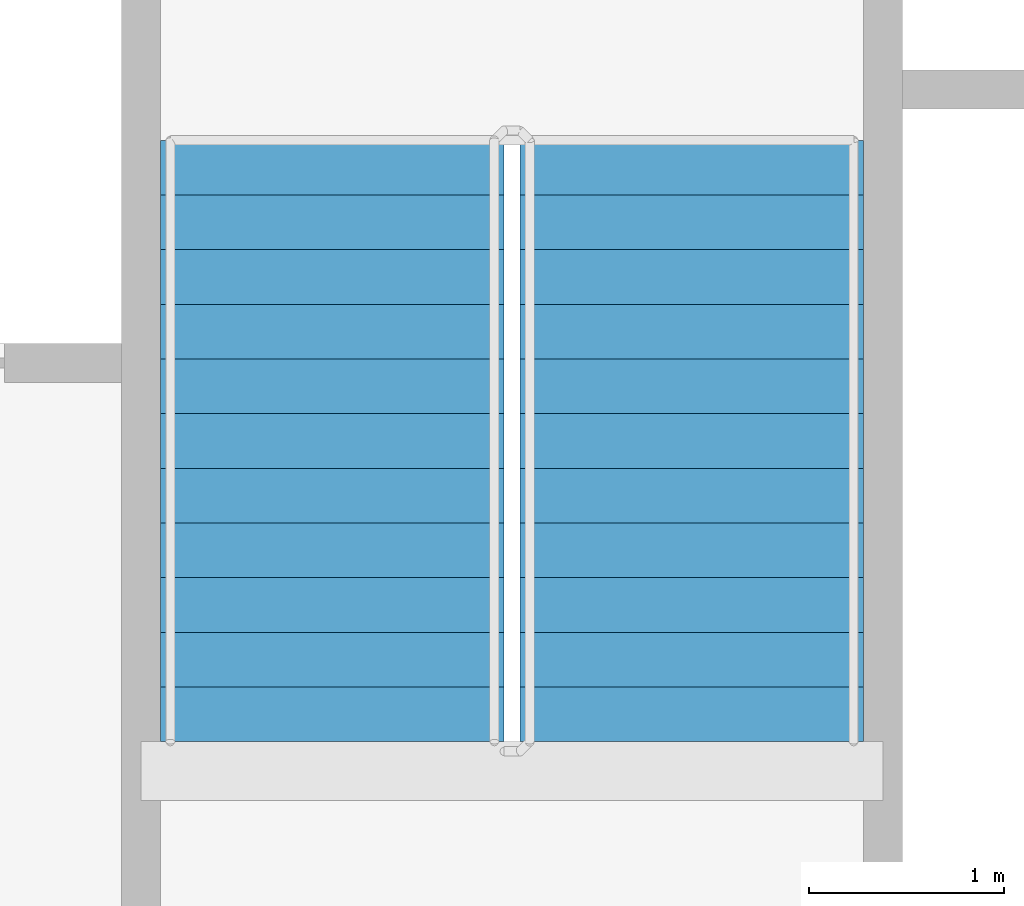
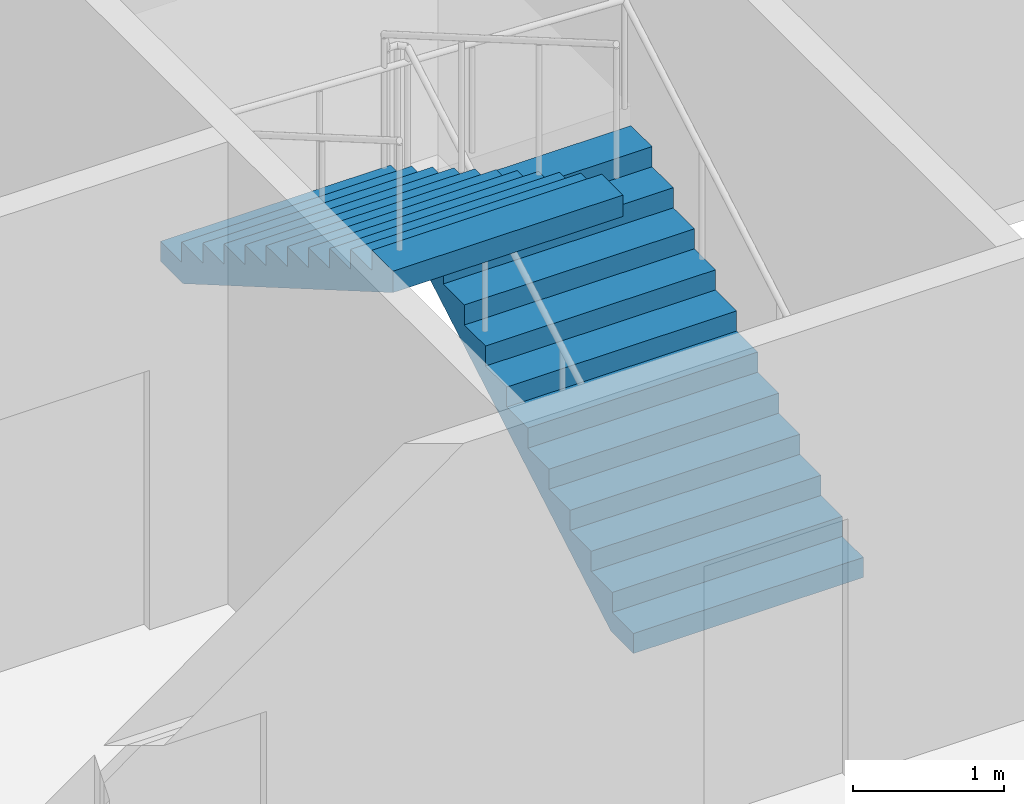
# One storey, part 9 of 14: 2 stair flights, 1 element without a shape of its own.
"""IFC4 building model written with IfcOpenShell, lengths in metres."""

from ifc_helpers import new_model, si_unit, direction, frame, origin, place, context, subcontext, project, spatial, faceted_brep, material, type_object, element, aggregate, save


model = new_model("IFC4")

# Units and contexts
model_context = context("Model", 3, precision=1e-05, world=origin(), true_north=direction((0.0, 1.0)))
body_context = subcontext(model_context, "Body", "Model", "MODEL_VIEW")
ifc_project = project(units=[si_unit("LENGTHUNIT", "METRE"), si_unit("AREAUNIT", "SQUARE_METRE"), si_unit("VOLUMEUNIT", "CUBIC_METRE"), si_unit("PLANEANGLEUNIT", "RADIAN"), si_unit("MASSUNIT", "GRAM", prefix="KILO")], contexts=[model_context])

# Site, building, storey
site_placement = place(None, origin())
site = spatial("IfcSite", under=ifc_project, at=site_placement, CompositionType="ELEMENT")
building_placement = place(site_placement, origin())
building = spatial("IfcBuilding", under=site, at=building_placement, Name="Tarsis Ring Headquarters", CompositionType="ELEMENT")
storey_placement = place(building_placement, frame((0.0, 0.0, 335.300048828125)))
storey = spatial("IfcBuildingStorey", under=building, at=storey_placement, Name="L79", CompositionType="ELEMENT", Elevation=335.300048828125)

# Stair, stair flights
ifc_material_1 = material(Name="Core stair 1760")
stair_type = type_object("IfcStairType", Name="Core stair 1760", PredefinedType="HALF_TURN_STAIR", material=ifc_material_1)
stair_placement = place(storey_placement, origin())
stair = element("IfcStair", 1, at=stair_placement, inside=storey, type_object=stair_type, Name="L79 Exit stair B", PredefinedType="HALF_TURN_STAIR")
ifc_material_2 = material(Name="Concrete C40/50", Category="concrete")
stair_flight_type = type_object("IfcStairFlightType", Name="Core stair flight 1760", PredefinedType="STRAIGHT", material=ifc_material_2)
stair_flight_1_placement = place(storey_placement, frame((5.419921875, 3.659912109375, 0.0), z_axis=(0.0, 0.0, 1.0), x_axis=(0.0, 1.0, 0.0)))
stair_flight_1 = element("IfcStairFlight", 2, at=stair_flight_1_placement, type_object=stair_flight_type, Name="Stair ST2 flight 1", NumberOfRisers=12, NumberOfTreads=11, PredefinedType="STRAIGHT", RiserHeight=0.1625, TreadLength=0.28, context=body_context, shape_type="Brep", body=[
    faceted_brep([(0.0, 0.8798828125, 0.0), (0.0, 0.8798828125, 0.16259765625), (0.280029296875, 0.8798828125, 0.16259765625), (0.280029296875, 0.8798828125, 0.324951171875), (0.56005859375, 0.8798828125, 0.324951171875), (0.56005859375, 0.8798828125, 0.487548828125), (0.840087890625, 0.8798828125, 0.487548828125), (0.840087890625, 0.8798828125, 0.64990234375), (1.1201171875, 0.8798828125, 0.64990234375), (1.1201171875, 0.8798828125, 0.8125), (1.39990234375, 0.8798828125, 0.8125), (1.39990234375, 0.8798828125, 0.97509765625), (1.679931640625, 0.8798828125, 0.97509765625), (1.679931640625, 0.8798828125, 1.137451171875), (1.9599609375, 0.8798828125, 1.137451171875), (1.9599609375, 0.8798828125, 1.300048828125), (2.239990234375, 0.8798828125, 1.300048828125), (2.239990234375, 0.8798828125, 1.46240234375), (2.52001953125, 0.8798828125, 1.46240234375), (2.52001953125, 0.8798828125, 1.625), (2.800048828125, 0.8798828125, 1.625), (2.800048828125, 0.8798828125, 1.78759765625), (3.080078125, 0.8798828125, 1.78759765625), (3.080078125, 0.8798828125, 1.6142578125), (0.298583984375, 0.8798828125, 0.0), (0.298583984375, -0.8798828125, 0.0), (3.080078125, -0.8798828125, 1.6142578125), (3.080078125, -0.8798828125, 1.78759765625), (2.800048828125, -0.8798828125, 1.78759765625), (2.800048828125, -0.8798828125, 1.625), (2.52001953125, -0.8798828125, 1.625), (2.52001953125, -0.8798828125, 1.46240234375), (2.239990234375, -0.8798828125, 1.46240234375), (2.239990234375, -0.8798828125, 1.300048828125), (1.9599609375, -0.8798828125, 1.300048828125), (1.9599609375, -0.8798828125, 1.137451171875), (1.679931640625, -0.8798828125, 1.137451171875), (1.679931640625, -0.8798828125, 0.97509765625), (1.39990234375, -0.8798828125, 0.97509765625), (1.39990234375, -0.8798828125, 0.8125), (1.1201171875, -0.8798828125, 0.8125), (1.1201171875, -0.8798828125, 0.64990234375), (0.840087890625, -0.8798828125, 0.64990234375), (0.840087890625, -0.8798828125, 0.487548828125), (0.56005859375, -0.8798828125, 0.487548828125), (0.56005859375, -0.8798828125, 0.324951171875), (0.280029296875, -0.8798828125, 0.324951171875), (0.280029296875, -0.8798828125, 0.16259765625), (0.0, -0.8798828125, 0.16259765625), (0.0, -0.8798828125, 0.0), (0.0, -0.43994140625, 0.16259765625), (0.0, -0.43994140625, 0.0), (0.0, 0.0, 0.16259765625), (0.0, 0.0, 0.0), (0.0, 0.43994140625, 0.16259765625), (0.0, 0.43994140625, 0.0), (0.280029296875, -0.43994140625, 0.16259765625), (0.280029296875, 0.0, 0.16259765625), (0.280029296875, 0.43994140625, 0.16259765625), (0.280029296875, -0.43994140625, 0.324951171875), (0.280029296875, 0.0, 0.324951171875), (0.280029296875, 0.43994140625, 0.324951171875), (0.56005859375, -0.43994140625, 0.324951171875), (0.56005859375, 0.0, 0.324951171875), (0.56005859375, 0.43994140625, 0.324951171875), (0.56005859375, -0.43994140625, 0.487548828125), (0.56005859375, 0.0, 0.487548828125), (0.56005859375, 0.43994140625, 0.487548828125), (0.840087890625, -0.43994140625, 0.487548828125), (0.840087890625, 0.0, 0.487548828125), (0.840087890625, 0.43994140625, 0.487548828125), (0.840087890625, -0.43994140625, 0.64990234375), (0.840087890625, 0.0, 0.64990234375), (0.840087890625, 0.43994140625, 0.64990234375), (1.1201171875, -0.43994140625, 0.64990234375), (1.1201171875, 0.0, 0.64990234375), (1.1201171875, 0.43994140625, 0.64990234375), (1.1201171875, -0.43994140625, 0.8125), (1.1201171875, 0.0, 0.8125), (1.1201171875, 0.43994140625, 0.8125), (1.39990234375, -0.43994140625, 0.8125), (1.39990234375, 0.0, 0.8125), (1.39990234375, 0.43994140625, 0.8125), (1.39990234375, -0.43994140625, 0.97509765625), (1.39990234375, 0.0, 0.97509765625), (1.39990234375, 0.43994140625, 0.97509765625), (1.679931640625, -0.43994140625, 0.97509765625), (1.679931640625, 0.0, 0.97509765625), (1.679931640625, 0.43994140625, 0.97509765625), (1.679931640625, -0.43994140625, 1.137451171875), (1.679931640625, 0.0, 1.137451171875), (1.679931640625, 0.43994140625, 1.137451171875), (1.9599609375, -0.43994140625, 1.137451171875), (1.9599609375, 0.0, 1.137451171875), (1.9599609375, 0.43994140625, 1.137451171875), (1.9599609375, -0.43994140625, 1.300048828125), (1.9599609375, 0.0, 1.300048828125), (1.9599609375, 0.43994140625, 1.300048828125), (2.239990234375, -0.43994140625, 1.300048828125), (2.239990234375, 0.0, 1.300048828125), (2.239990234375, 0.43994140625, 1.300048828125), (2.239990234375, -0.43994140625, 1.46240234375), (2.239990234375, 0.0, 1.46240234375), (2.239990234375, 0.43994140625, 1.46240234375), (2.52001953125, -0.43994140625, 1.46240234375), (2.52001953125, 0.0, 1.46240234375), (2.52001953125, 0.43994140625, 1.46240234375), (2.52001953125, -0.43994140625, 1.625), (2.52001953125, 0.0, 1.625), (2.52001953125, 0.43994140625, 1.625), (2.800048828125, -0.43994140625, 1.625), (2.800048828125, 0.0, 1.625), (2.800048828125, 0.43994140625, 1.625), (2.800048828125, -0.43994140625, 1.78759765625), (2.800048828125, 0.0, 1.78759765625), (2.800048828125, 0.43994140625, 1.78759765625), (3.080078125, -0.43994140625, 1.78759765625), (3.080078125, 0.0, 1.78759765625), (3.080078125, 0.43994140625, 1.78759765625), (3.080078125, -0.43994140625, 1.6142578125), (3.080078125, 0.0, 1.6142578125), (3.080078125, 0.43994140625, 1.6142578125), (0.298583984375, -0.43994140625, 0.0), (0.298583984375, 0.0, 0.0), (0.298583984375, 0.43994140625, 0.0)], [[[0, 1, 2, 3, 4, 5, 6, 7, 8, 9, 10, 11, 12, 13, 14, 15, 16, 17, 18, 19, 20, 21, 22, 23, 24]], [[25, 26, 27, 28, 29, 30, 31, 32, 33, 34, 35, 36, 37, 38, 39, 40, 41, 42, 43, 44, 45, 46, 47, 48, 49]], [[49, 48, 50, 51]], [[51, 50, 52, 53]], [[53, 52, 54, 55]], [[55, 54, 1, 0]], [[48, 47, 56, 50]], [[50, 56, 57, 52]], [[52, 57, 58, 54]], [[54, 58, 2, 1]], [[47, 46, 59, 56]], [[56, 59, 60, 57]], [[57, 60, 61, 58]], [[58, 61, 3, 2]], [[46, 45, 62, 59]], [[59, 62, 63, 60]], [[60, 63, 64, 61]], [[61, 64, 4, 3]], [[45, 44, 65, 62]], [[62, 65, 66, 63]], [[63, 66, 67, 64]], [[64, 67, 5, 4]], [[44, 43, 68, 65]], [[65, 68, 69, 66]], [[66, 69, 70, 67]], [[67, 70, 6, 5]], [[43, 42, 71, 68]], [[68, 71, 72, 69]], [[69, 72, 73, 70]], [[70, 73, 7, 6]], [[42, 41, 74, 71]], [[71, 74, 75, 72]], [[72, 75, 76, 73]], [[73, 76, 8, 7]], [[41, 40, 77, 74]], [[74, 77, 78, 75]], [[75, 78, 79, 76]], [[76, 79, 9, 8]], [[40, 39, 80, 77]], [[77, 80, 81, 78]], [[78, 81, 82, 79]], [[79, 82, 10, 9]], [[39, 38, 83, 80]], [[80, 83, 84, 81]], [[81, 84, 85, 82]], [[82, 85, 11, 10]], [[38, 37, 86, 83]], [[83, 86, 87, 84]], [[84, 87, 88, 85]], [[85, 88, 12, 11]], [[37, 36, 89, 86]], [[86, 89, 90, 87]], [[87, 90, 91, 88]], [[88, 91, 13, 12]], [[36, 35, 92, 89]], [[89, 92, 93, 90]], [[90, 93, 94, 91]], [[91, 94, 14, 13]], [[35, 34, 95, 92]], [[92, 95, 96, 93]], [[93, 96, 97, 94]], [[94, 97, 15, 14]], [[34, 33, 98, 95]], [[95, 98, 99, 96]], [[96, 99, 100, 97]], [[97, 100, 16, 15]], [[33, 32, 101, 98]], [[98, 101, 102, 99]], [[99, 102, 103, 100]], [[100, 103, 17, 16]], [[32, 31, 104, 101]], [[101, 104, 105, 102]], [[102, 105, 106, 103]], [[103, 106, 18, 17]], [[31, 30, 107, 104]], [[104, 107, 108, 105]], [[105, 108, 109, 106]], [[106, 109, 19, 18]], [[30, 29, 110, 107]], [[107, 110, 111, 108]], [[108, 111, 112, 109]], [[109, 112, 20, 19]], [[29, 28, 113, 110]], [[110, 113, 114, 111]], [[111, 114, 115, 112]], [[112, 115, 21, 20]], [[28, 27, 116, 113]], [[113, 116, 117, 114]], [[114, 117, 118, 115]], [[115, 118, 22, 21]], [[27, 26, 119, 116]], [[116, 119, 120, 117]], [[117, 120, 121, 118]], [[118, 121, 23, 22]], [[26, 25, 122, 119]], [[119, 122, 123, 120]], [[120, 123, 124, 121]], [[121, 124, 24, 23]], [[25, 49, 51, 122]], [[122, 51, 53, 123]], [[123, 53, 55, 124]], [[124, 55, 0, 24]]]),
])
stair_flight_2_placement = place(storey_placement, frame((3.580078125, 6.739990234375, 1.949951171875), z_axis=(0.0, 0.0, 1.0), x_axis=(0.0, -1.0, 0.0)))
stair_flight_2 = element("IfcStairFlight", 3, at=stair_flight_2_placement, type_object=stair_flight_type, Name="Stair ST2 flight 2", NumberOfRisers=12, NumberOfTreads=11, PredefinedType="STRAIGHT", RiserHeight=0.1625, TreadLength=0.28, context=body_context, shape_type="Brep", body=[
    faceted_brep([(0.0, 0.8798828125, 0.0), (0.0, 0.8798828125, 0.16259765625), (0.280029296875, 0.8798828125, 0.16259765625), (0.280029296875, 0.8798828125, 0.324951171875), (0.56005859375, 0.8798828125, 0.324951171875), (0.56005859375, 0.8798828125, 0.487548828125), (0.840087890625, 0.8798828125, 0.487548828125), (0.840087890625, 0.8798828125, 0.64990234375), (1.1201171875, 0.8798828125, 0.64990234375), (1.1201171875, 0.8798828125, 0.8125), (1.39990234375, 0.8798828125, 0.8125), (1.39990234375, 0.8798828125, 0.97509765625), (1.679931640625, 0.8798828125, 0.97509765625), (1.679931640625, 0.8798828125, 1.137451171875), (1.9599609375, 0.8798828125, 1.137451171875), (1.9599609375, 0.8798828125, 1.300048828125), (2.239990234375, 0.8798828125, 1.300048828125), (2.239990234375, 0.8798828125, 1.46240234375), (2.52001953125, 0.8798828125, 1.46240234375), (2.52001953125, 0.8798828125, 1.625), (2.800048828125, 0.8798828125, 1.625), (2.800048828125, 0.8798828125, 1.78759765625), (3.080078125, 0.8798828125, 1.78759765625), (3.080078125, 0.8798828125, 1.6142578125), (0.298583984375, 0.8798828125, 0.0), (0.298583984375, -0.8798828125, 0.0), (3.080078125, -0.8798828125, 1.6142578125), (3.080078125, -0.8798828125, 1.78759765625), (2.800048828125, -0.8798828125, 1.78759765625), (2.800048828125, -0.8798828125, 1.625), (2.52001953125, -0.8798828125, 1.625), (2.52001953125, -0.8798828125, 1.46240234375), (2.239990234375, -0.8798828125, 1.46240234375), (2.239990234375, -0.8798828125, 1.300048828125), (1.9599609375, -0.8798828125, 1.300048828125), (1.9599609375, -0.8798828125, 1.137451171875), (1.679931640625, -0.8798828125, 1.137451171875), (1.679931640625, -0.8798828125, 0.97509765625), (1.39990234375, -0.8798828125, 0.97509765625), (1.39990234375, -0.8798828125, 0.8125), (1.1201171875, -0.8798828125, 0.8125), (1.1201171875, -0.8798828125, 0.64990234375), (0.840087890625, -0.8798828125, 0.64990234375), (0.840087890625, -0.8798828125, 0.487548828125), (0.56005859375, -0.8798828125, 0.487548828125), (0.56005859375, -0.8798828125, 0.324951171875), (0.280029296875, -0.8798828125, 0.324951171875), (0.280029296875, -0.8798828125, 0.16259765625), (0.0, -0.8798828125, 0.16259765625), (0.0, -0.8798828125, 0.0), (0.0, -0.43994140625, 0.16259765625), (0.0, -0.43994140625, 0.0), (0.0, 0.0, 0.16259765625), (0.0, 0.0, 0.0), (0.0, 0.43994140625, 0.16259765625), (0.0, 0.43994140625, 0.0), (0.280029296875, -0.43994140625, 0.16259765625), (0.280029296875, 0.0, 0.16259765625), (0.280029296875, 0.43994140625, 0.16259765625), (0.280029296875, -0.43994140625, 0.324951171875), (0.280029296875, 0.0, 0.324951171875), (0.280029296875, 0.43994140625, 0.324951171875), (0.56005859375, -0.43994140625, 0.324951171875), (0.56005859375, 0.0, 0.324951171875), (0.56005859375, 0.43994140625, 0.324951171875), (0.56005859375, -0.43994140625, 0.487548828125), (0.56005859375, 0.0, 0.487548828125), (0.56005859375, 0.43994140625, 0.487548828125), (0.840087890625, -0.43994140625, 0.487548828125), (0.840087890625, 0.0, 0.487548828125), (0.840087890625, 0.43994140625, 0.487548828125), (0.840087890625, -0.43994140625, 0.64990234375), (0.840087890625, 0.0, 0.64990234375), (0.840087890625, 0.43994140625, 0.64990234375), (1.1201171875, -0.43994140625, 0.64990234375), (1.1201171875, 0.0, 0.64990234375), (1.1201171875, 0.43994140625, 0.64990234375), (1.1201171875, -0.43994140625, 0.8125), (1.1201171875, 0.0, 0.8125), (1.1201171875, 0.43994140625, 0.8125), (1.39990234375, -0.43994140625, 0.8125), (1.39990234375, 0.0, 0.8125), (1.39990234375, 0.43994140625, 0.8125), (1.39990234375, -0.43994140625, 0.97509765625), (1.39990234375, 0.0, 0.97509765625), (1.39990234375, 0.43994140625, 0.97509765625), (1.679931640625, -0.43994140625, 0.97509765625), (1.679931640625, 0.0, 0.97509765625), (1.679931640625, 0.43994140625, 0.97509765625), (1.679931640625, -0.43994140625, 1.137451171875), (1.679931640625, 0.0, 1.137451171875), (1.679931640625, 0.43994140625, 1.137451171875), (1.9599609375, -0.43994140625, 1.137451171875), (1.9599609375, 0.0, 1.137451171875), (1.9599609375, 0.43994140625, 1.137451171875), (1.9599609375, -0.43994140625, 1.300048828125), (1.9599609375, 0.0, 1.300048828125), (1.9599609375, 0.43994140625, 1.300048828125), (2.239990234375, -0.43994140625, 1.300048828125), (2.239990234375, 0.0, 1.300048828125), (2.239990234375, 0.43994140625, 1.300048828125), (2.239990234375, -0.43994140625, 1.46240234375), (2.239990234375, 0.0, 1.46240234375), (2.239990234375, 0.43994140625, 1.46240234375), (2.52001953125, -0.43994140625, 1.46240234375), (2.52001953125, 0.0, 1.46240234375), (2.52001953125, 0.43994140625, 1.46240234375), (2.52001953125, -0.43994140625, 1.625), (2.52001953125, 0.0, 1.625), (2.52001953125, 0.43994140625, 1.625), (2.800048828125, -0.43994140625, 1.625), (2.800048828125, 0.0, 1.625), (2.800048828125, 0.43994140625, 1.625), (2.800048828125, -0.43994140625, 1.78759765625), (2.800048828125, 0.0, 1.78759765625), (2.800048828125, 0.43994140625, 1.78759765625), (3.080078125, -0.43994140625, 1.78759765625), (3.080078125, 0.0, 1.78759765625), (3.080078125, 0.43994140625, 1.78759765625), (3.080078125, -0.43994140625, 1.6142578125), (3.080078125, 0.0, 1.6142578125), (3.080078125, 0.43994140625, 1.6142578125), (0.298583984375, -0.43994140625, 0.0), (0.298583984375, 0.0, 0.0), (0.298583984375, 0.43994140625, 0.0)], [[[0, 1, 2, 3, 4, 5, 6, 7, 8, 9, 10, 11, 12, 13, 14, 15, 16, 17, 18, 19, 20, 21, 22, 23, 24]], [[25, 26, 27, 28, 29, 30, 31, 32, 33, 34, 35, 36, 37, 38, 39, 40, 41, 42, 43, 44, 45, 46, 47, 48, 49]], [[49, 48, 50, 51]], [[51, 50, 52, 53]], [[53, 52, 54, 55]], [[55, 54, 1, 0]], [[48, 47, 56, 50]], [[50, 56, 57, 52]], [[52, 57, 58, 54]], [[54, 58, 2, 1]], [[47, 46, 59, 56]], [[56, 59, 60, 57]], [[57, 60, 61, 58]], [[58, 61, 3, 2]], [[46, 45, 62, 59]], [[59, 62, 63, 60]], [[60, 63, 64, 61]], [[61, 64, 4, 3]], [[45, 44, 65, 62]], [[62, 65, 66, 63]], [[63, 66, 67, 64]], [[64, 67, 5, 4]], [[44, 43, 68, 65]], [[65, 68, 69, 66]], [[66, 69, 70, 67]], [[67, 70, 6, 5]], [[43, 42, 71, 68]], [[68, 71, 72, 69]], [[69, 72, 73, 70]], [[70, 73, 7, 6]], [[42, 41, 74, 71]], [[71, 74, 75, 72]], [[72, 75, 76, 73]], [[73, 76, 8, 7]], [[41, 40, 77, 74]], [[74, 77, 78, 75]], [[75, 78, 79, 76]], [[76, 79, 9, 8]], [[40, 39, 80, 77]], [[77, 80, 81, 78]], [[78, 81, 82, 79]], [[79, 82, 10, 9]], [[39, 38, 83, 80]], [[80, 83, 84, 81]], [[81, 84, 85, 82]], [[82, 85, 11, 10]], [[38, 37, 86, 83]], [[83, 86, 87, 84]], [[84, 87, 88, 85]], [[85, 88, 12, 11]], [[37, 36, 89, 86]], [[86, 89, 90, 87]], [[87, 90, 91, 88]], [[88, 91, 13, 12]], [[36, 35, 92, 89]], [[89, 92, 93, 90]], [[90, 93, 94, 91]], [[91, 94, 14, 13]], [[35, 34, 95, 92]], [[92, 95, 96, 93]], [[93, 96, 97, 94]], [[94, 97, 15, 14]], [[34, 33, 98, 95]], [[95, 98, 99, 96]], [[96, 99, 100, 97]], [[97, 100, 16, 15]], [[33, 32, 101, 98]], [[98, 101, 102, 99]], [[99, 102, 103, 100]], [[100, 103, 17, 16]], [[32, 31, 104, 101]], [[101, 104, 105, 102]], [[102, 105, 106, 103]], [[103, 106, 18, 17]], [[31, 30, 107, 104]], [[104, 107, 108, 105]], [[105, 108, 109, 106]], [[106, 109, 19, 18]], [[30, 29, 110, 107]], [[107, 110, 111, 108]], [[108, 111, 112, 109]], [[109, 112, 20, 19]], [[29, 28, 113, 110]], [[110, 113, 114, 111]], [[111, 114, 115, 112]], [[112, 115, 21, 20]], [[28, 27, 116, 113]], [[113, 116, 117, 114]], [[114, 117, 118, 115]], [[115, 118, 22, 21]], [[27, 26, 119, 116]], [[116, 119, 120, 117]], [[117, 120, 121, 118]], [[118, 121, 23, 22]], [[26, 25, 122, 119]], [[119, 122, 123, 120]], [[120, 123, 124, 121]], [[121, 124, 24, 23]], [[25, 49, 51, 122]], [[122, 51, 53, 123]], [[123, 53, 55, 124]], [[124, 55, 0, 24]]]),
])
aggregate(stair, [stair_flight_1, stair_flight_2])

save(model, "model.ifc")
